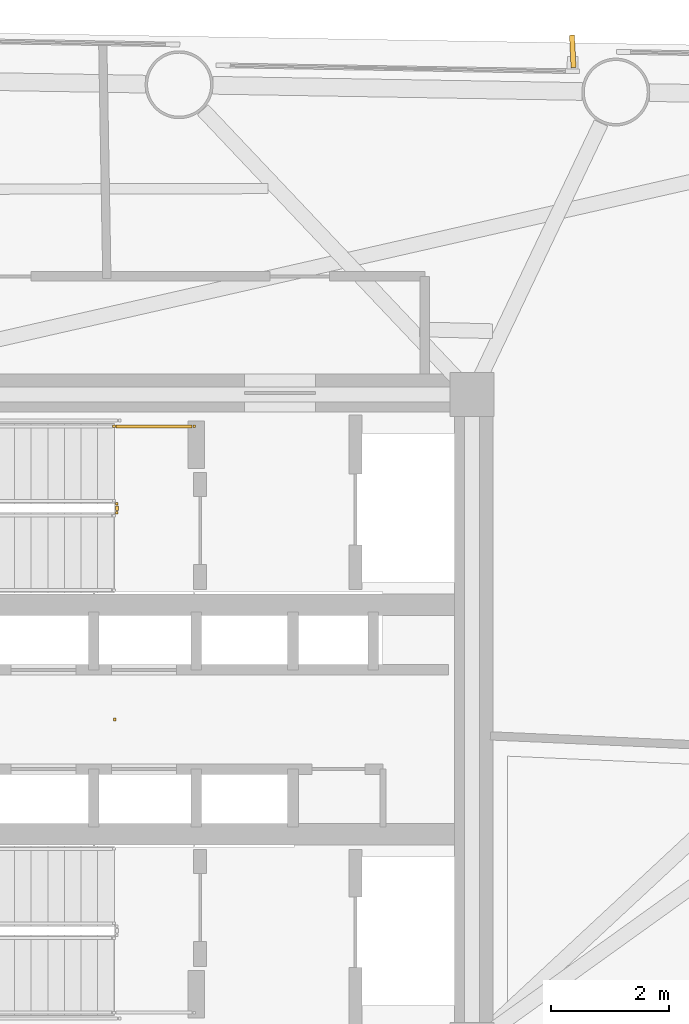
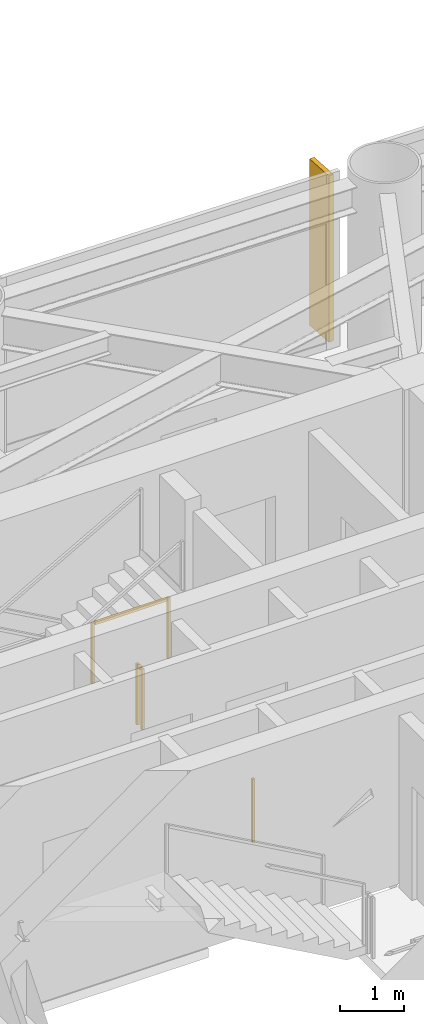
# One storey, part 9 of 10: 3 railings, 1 shading device.
"""IFC4 building model written with IfcOpenShell, lengths in metres."""

from ifc_helpers import new_model, si_unit, direction, frame, origin, origin_2d, place, context, subcontext, project, spatial, rectangle, extrude, source, transform, mapped, material, material_profile, profile_set, type_object, element, save


model = new_model("IFC4")

# Units and contexts
model_context = context("Model", 3, precision=1e-05, world=origin(), true_north=direction((0.0, 1.0)))
body_context = subcontext(model_context, "Body", "Model", "MODEL_VIEW")
ifc_project = project(units=[si_unit("LENGTHUNIT", "METRE"), si_unit("AREAUNIT", "SQUARE_METRE"), si_unit("VOLUMEUNIT", "CUBIC_METRE"), si_unit("PLANEANGLEUNIT", "RADIAN"), si_unit("MASSUNIT", "GRAM", prefix="KILO")], contexts=[model_context])

# Site, building, storey
site_placement = place(None, origin())
site = spatial("IfcSite", under=ifc_project, at=site_placement, CompositionType="ELEMENT")
building_placement = place(site_placement, origin())
building = spatial("IfcBuilding", under=site, at=building_placement, Name="Yunling Apex Tower", CompositionType="ELEMENT")
storey_placement = place(building_placement, frame((0.0, 0.0, 191.449951171875)))
storey = spatial("IfcBuildingStorey", under=building, at=storey_placement, Name="L46", CompositionType="ELEMENT", Elevation=191.449951171875)

# Railings
ifc_material_1 = material(Name="Bronze anodised aluminium", Category="aluminium")
railing_type_1 = type_object("IfcRailingType", Name="RL-BAL-1200", PredefinedType="BALUSTRADE", material=ifc_material_1)
railing_1_placement = place(storey_placement, origin())
element("IfcRailing", 1, at=railing_1_placement, inside=storey, type_object=railing_type_1, Name="RL-TATR-L46", PredefinedType="BALUSTRADE", context=body_context, shape_type="SweptSolid", body=[
    extrude(rectangle(XDim=0.0439453125, YDim=0.0439453125, at=origin_2d()), origin(), (0.0, 0.0, 1.0), 1.199951171875),
])
ifc_material_2 = material(Name="Steel Q355B", Category="steel")
railing_type_2 = type_object("IfcRailingType", Name="RL-GRD-1150", PredefinedType="GUARDRAIL", material=ifc_material_2)
railing_2_placement = place(storey_placement, frame((0.0400390625, 3.64990234375, 0.0)))
element("IfcRailing", 2, at=railing_2_placement, inside=storey, type_object=railing_type_2, Name="L46 ST-1 stair guard 5", PredefinedType="GUARDRAIL", context=body_context, shape_type="SweptSolid", body=[
    extrude(rectangle(XDim=0.0439453125, YDim=0.0439453125, at=origin_2d()), origin(), (0.0, 0.0, 1.0), 1.14990234375),
    extrude(rectangle(XDim=0.0439453125, YDim=0.0439453125, at=origin_2d()), frame((0.0, -0.14990234375, 0.0)), (0.0, 0.0, 1.0), 1.14990234375),
    extrude(rectangle(XDim=0.050048828125, YDim=0.050048828125, at=origin_2d()), frame((0.0, -0.038330078125, 1.125), z_axis=(0.0, -1.0, 0.0), x_axis=(1.0, 0.0, 0.0)), (0.0, 0.0, 1.0), 0.0732421875),
])
railing_3_placement = place(storey_placement, frame((1.35009765625, 4.9599609375, 0.0)))
element("IfcRailing", 3, at=railing_3_placement, inside=storey, type_object=railing_type_2, Name="L46 ST-1 stair guard 6", PredefinedType="GUARDRAIL", context=body_context, shape_type="SweptSolid", body=[
    extrude(rectangle(XDim=0.0439453125, YDim=0.0439453125, at=origin_2d()), origin(), (0.0, 0.0, 1.0), 1.14990234375),
    extrude(rectangle(XDim=0.0439453125, YDim=0.0439453125, at=origin_2d()), frame((-1.360107421875, 0.0, 0.0)), (0.0, 0.0, 1.0), 1.14990234375),
    extrude(rectangle(XDim=0.050048828125, YDim=0.050048828125, at=origin_2d()), frame((-0.038330078125, 0.0, 1.125), z_axis=(-1.0, 0.0, 0.0), x_axis=(0.0, -1.0, 0.0)), (0.0, 0.0, 1.0), 1.283447265625),
])

# Shading device
ifc_material_profile = material_profile(ifc_material_1, rectangle(XDim=0.0849609375, YDim=0.550048828125, at=origin_2d()))
ifc_profile_set = profile_set([ifc_material_profile], Name="Bronze anodised aluminium")
shading_device_type = type_object("IfcShadingDeviceType", Name="FN-BRZ-3", PredefinedType="USERDEFINED", material=ifc_profile_set)
shared_shape = source(origin(), body_context, "Body", "SweptSolid", [
    extrude(rectangle(XDim=0.0849609375, YDim=0.550048828125, at=origin_2d()), origin(), (0.0, 0.0, 1.0), 3.14990234375),
])
shading_device_placement = place(storey_placement, frame((7.75341796875, 11.30517578125, 0.06005859375), z_axis=(0.0, 0.0, 1.0), x_axis=(-0.998814648022, -0.048675444496, 0.0)))
element("IfcShadingDevice", 4, at=shading_device_placement, inside=storey, type_object=shading_device_type, Name="CW-L46-F2-B2-FIN-01", ObjectType="FIN", PredefinedType="USERDEFINED", context=body_context, shape_type="MappedRepresentation", body=[
    mapped(shared_shape, transform((0.0, 0.0, 0.0), scale=1.0)),
])

save(model, "model.ifc")
